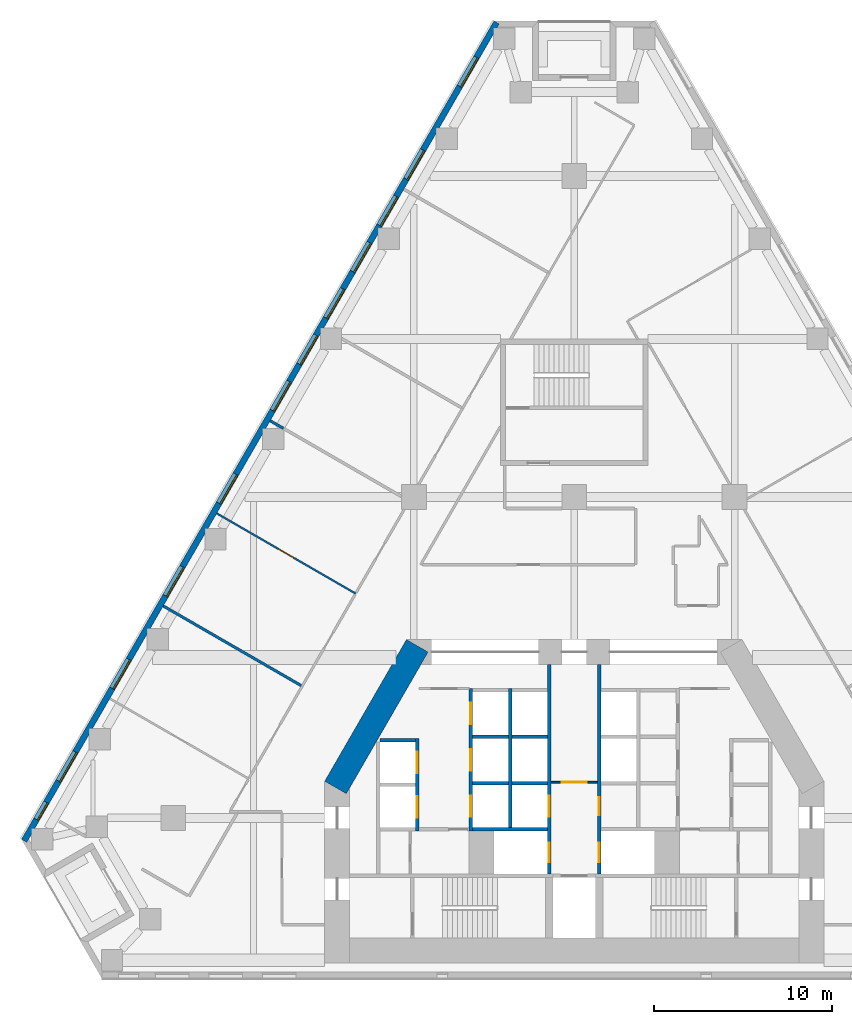
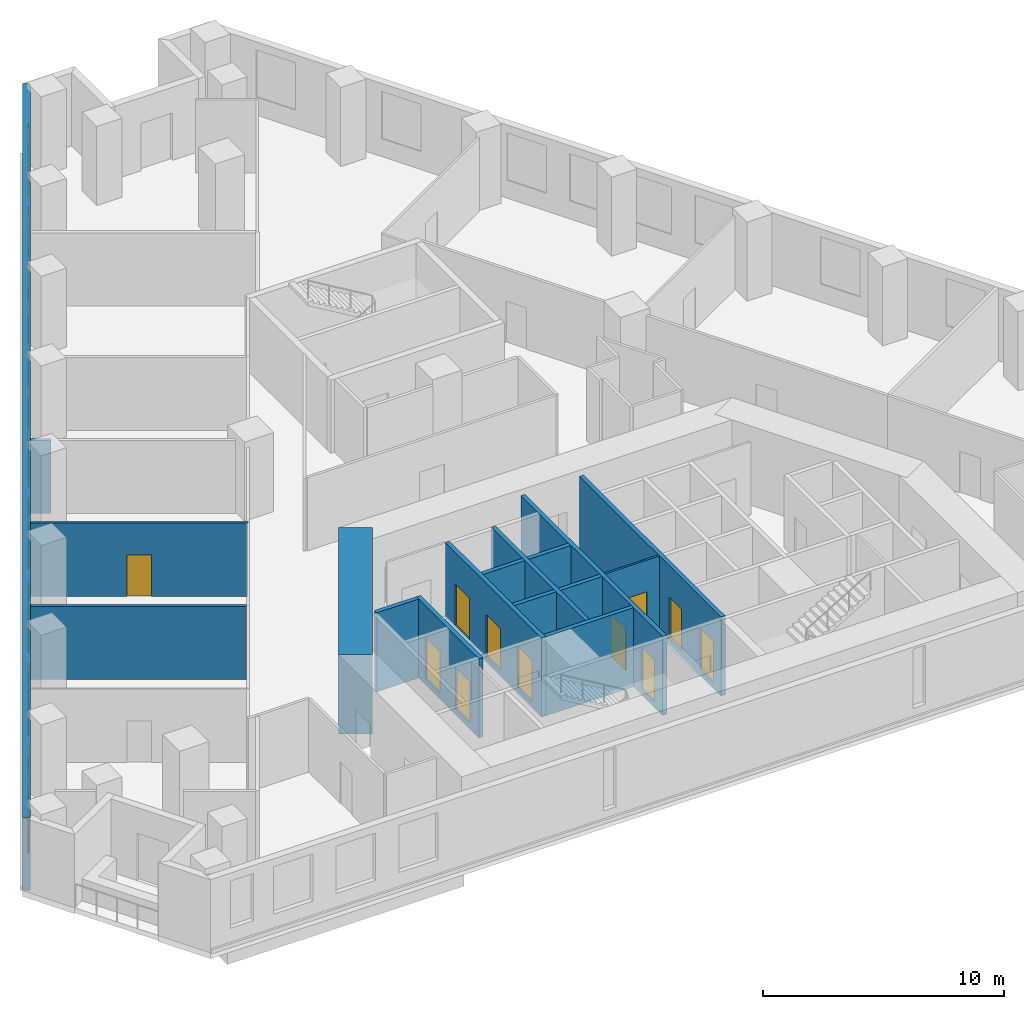
# One storey, part 4 of 9: 17 walls, 12 windows, 11 doors, 23 openings.
"""IFC4 building model written with IfcOpenShell, lengths in metres."""

from ifc_helpers import new_model, si_unit, direction, frame, frame_2d, origin, place, context, subcontext, project, spatial, rectangle, extrude, material, layer, layer_set, type_object, element, fill, save


model = new_model("IFC4")

# Units and contexts
model_context = context("Model", 3, precision=1e-05, world=origin(), true_north=direction((0.0, 1.0)))
body_context = subcontext(model_context, "Body", "Model", "MODEL_VIEW")
ifc_project = project(units=[si_unit("LENGTHUNIT", "METRE"), si_unit("AREAUNIT", "SQUARE_METRE"), si_unit("VOLUMEUNIT", "CUBIC_METRE"), si_unit("PLANEANGLEUNIT", "RADIAN"), si_unit("MASSUNIT", "GRAM", prefix="KILO")], contexts=[model_context])

# Site, building, storey
site_placement = place(None, origin())
site = spatial("IfcSite", under=ifc_project, at=site_placement, CompositionType="ELEMENT")
building_placement = place(site_placement, origin())
building = spatial("IfcBuilding", under=site, at=building_placement, Name="Fogline Exchange Tower", CompositionType="ELEMENT")
storey_placement = place(building_placement, frame((0.0, 0.0, 80.89990234375)))
storey = spatial("IfcBuildingStorey", under=building, at=storey_placement, Name="L17", CompositionType="ELEMENT", Elevation=80.89990234375)

# Wall, opening, door
ifc_material_1 = material(Name="Blockwork partition", Category="masonry")
ifc_layer_1 = layer(ifc_material_1, 0.10009765625)
ifc_layer_set_1 = layer_set([ifc_layer_1], Name="CW10")
wall_type_1 = type_object("IfcWallType", Name="CW10", PredefinedType="PARTITIONING", material=ifc_layer_set_1)
wall_1_placement = place(storey_placement, frame((-1.300048828125, 11.0, 0.0), z_axis=(0.0, 0.0, 1.0), x_axis=(1.0, 0.0, 0.0)))
wall_1 = element("IfcWall", 1, at=wall_1_placement, inside=storey, type_object=wall_type_1, Name="Lift lobby partition", PredefinedType="PARTITIONING", context=body_context, shape_type="SweptSolid", body=[
    extrude(rectangle(XDim=2.60009765625, YDim=0.10009765625, at=frame_2d((1.300048828125, 0.0))), origin(), (0.0, 0.0, 1.0), 3.7001953125),
])
opening_1_placement = place(wall_1_placement, frame((0.60009765625, 0.0, 0.0)))
opening_1 = element("IfcOpeningElement", 2, at=opening_1_placement, cuts=wall_1, Name="Opening T05-C019", PredefinedType="OPENING", context=body_context, shape_type="SweptSolid", body=[
    extrude(rectangle(XDim=1.39990234375, YDim=2.10009765625, at=frame_2d((0.699951171875, 1.050048828125))), frame((0.0, 0.06005859375, 0.0), z_axis=(0.0, -1.0, 0.0), x_axis=(1.0, 0.0, 0.0)), (0.0, 0.0, 1.0), 0.1201171875),
])
ifc_material_2 = material(Name="Steel and timber fire door", Category="steel")
door_type_1 = type_object("IfcDoorType", Name="D-LB1", OperationType="DOUBLE_DOOR_SINGLE_SWING", PredefinedType="DOOR", material=ifc_material_2)
door_1_placement = place(opening_1_placement, frame((1.39990234375, 0.0, 0.0), z_axis=(0.0, 0.0, 1.0), x_axis=(-1.0, 0.0, 0.0)))
door_1 = element("IfcDoor", 3, at=door_1_placement, inside=storey, type_object=door_type_1, Name="Door to firefighting lift lobby", OperationType="DOUBLE_DOOR_SINGLE_SWING", OverallHeight=2.10009765625, OverallWidth=1.39990234375, PredefinedType="DOOR", context=body_context, shape_type="SweptSolid", body=[
    extrude(rectangle(XDim=1.39990234375, YDim=2.10009765625, at=frame_2d((0.699951171875, 1.050048828125))), frame((0.0, 0.02490234375, 0.0), z_axis=(0.0, -1.0, 0.0), x_axis=(1.0, 0.0, 0.0)), (0.0, 0.0, 1.0), 0.050048828125),
])
fill(opening_1, door_1)

# Wall, openings, doors
ifc_material_3 = material(Name="Concrete C40", Category="concrete")
ifc_layer_2 = layer(ifc_material_3, 0.199951171875)
ifc_layer_set_2 = layer_set([ifc_layer_2], Name="CW20S")
wall_type_2 = type_object("IfcWallType", Name="CW20S", PredefinedType="SOLIDWALL", material=ifc_layer_set_2)
wall_2_placement = place(storey_placement, frame((-8.800048828125, 8.25, -0.2998046875), z_axis=(0.0, 0.0, 1.0), x_axis=(0.0, 1.0, 0.0)))
wall_2 = element("IfcWall", 4, at=wall_2_placement, inside=storey, type_object=wall_type_2, Name="Lift shaft wall", PredefinedType="SOLIDWALL", context=body_context, shape_type="SweptSolid", body=[
    extrude(rectangle(XDim=5.199951171875, YDim=0.199951171875, at=frame_2d((2.60009765625, 0.0))), origin(), (0.0, 0.0, 1.0), 4.0),
])
opening_2_placement = place(wall_2_placement, frame((0.75, 0.0, 0.300048828125)))
opening_2 = element("IfcOpeningElement", 5, at=opening_2_placement, cuts=wall_2, Name="Opening T05-LD01", PredefinedType="OPENING", context=body_context, shape_type="SweptSolid", body=[
    extrude(rectangle(XDim=1.199951171875, YDim=2.10009765625, at=frame_2d((0.60009765625, 1.050048828125))), frame((0.0, 0.10986328125, 0.0), z_axis=(0.0, -1.0, 0.0), x_axis=(1.0, 0.0, 0.0)), (0.0, 0.0, 1.0), 0.219970703125),
])
opening_3_placement = place(wall_2_placement, frame((3.25, 0.0, 0.300048828125)))
opening_3 = element("IfcOpeningElement", 6, at=opening_3_placement, cuts=wall_2, Name="Opening T05-LD02", PredefinedType="OPENING", context=body_context, shape_type="SweptSolid", body=[
    extrude(rectangle(XDim=1.199951171875, YDim=2.10009765625, at=frame_2d((0.60009765625, 1.050048828125))), frame((0.0, 0.10986328125, 0.0), z_axis=(0.0, -1.0, 0.0), x_axis=(1.0, 0.0, 0.0)), (0.0, 0.0, 1.0), 0.219970703125),
])
door_type_2 = type_object("IfcDoorType", Name="LD1", OperationType="SLIDING_TO_LEFT", PredefinedType="DOOR", material=ifc_material_2)
door_2_placement = place(opening_2_placement, origin())
door_2 = element("IfcDoor", 7, at=door_2_placement, inside=storey, type_object=door_type_2, Name="Landing door LR1", OperationType="SLIDING_TO_LEFT", OverallHeight=2.10009765625, OverallWidth=1.199951171875, PredefinedType="DOOR", context=body_context, shape_type="SweptSolid", body=[
    extrude(rectangle(XDim=1.199951171875, YDim=2.10009765625, at=frame_2d((0.60009765625, 1.050048828125))), frame((0.0, 0.02490234375, 0.0), z_axis=(0.0, -1.0, 0.0), x_axis=(1.0, 0.0, 0.0)), (0.0, 0.0, 1.0), 0.050048828125),
])
fill(opening_2, door_2)
door_3_placement = place(opening_3_placement, origin())
door_3 = element("IfcDoor", 8, at=door_3_placement, inside=storey, type_object=door_type_2, Name="Landing door LR2", OperationType="SLIDING_TO_LEFT", OverallHeight=2.10009765625, OverallWidth=1.199951171875, PredefinedType="DOOR", context=body_context, shape_type="SweptSolid", body=[
    extrude(rectangle(XDim=1.199951171875, YDim=2.10009765625, at=frame_2d((0.60009765625, 1.050048828125))), frame((0.0, 0.02490234375, 0.0), z_axis=(0.0, -1.0, 0.0), x_axis=(1.0, 0.0, 0.0)), (0.0, 0.0, 1.0), 0.050048828125),
])
fill(opening_3, door_3)

wall_3_placement = place(storey_placement, frame((-5.800048828125, 8.25, -0.2998046875), z_axis=(0.0, 0.0, 1.0), x_axis=(0.0, 1.0, 0.0)))
wall_3 = element("IfcWall", 9, at=wall_3_placement, inside=storey, type_object=wall_type_2, Name="Lift shaft wall", PredefinedType="SOLIDWALL", context=body_context, shape_type="SweptSolid", body=[
    extrude(rectangle(XDim=8.0, YDim=0.199951171875, at=frame_2d((4.0, 0.0))), origin(), (0.0, 0.0, 1.0), 4.0),
])
opening_4_placement = place(wall_3_placement, frame((0.800048828125, 0.0, 0.300048828125)))
opening_4 = element("IfcOpeningElement", 10, at=opening_4_placement, cuts=wall_3, Name="Opening T05-LD03", PredefinedType="OPENING", context=body_context, shape_type="SweptSolid", body=[
    extrude(rectangle(XDim=1.199951171875, YDim=2.10009765625, at=frame_2d((0.60009765625, 1.050048828125))), frame((0.0, 0.10986328125, 0.0), z_axis=(0.0, -1.0, 0.0), x_axis=(1.0, 0.0, 0.0)), (0.0, 0.0, 1.0), 0.219970703125),
])
opening_5_placement = place(wall_3_placement, frame((3.39990234375, 0.0, 0.300048828125)))
opening_5 = element("IfcOpeningElement", 11, at=opening_5_placement, cuts=wall_3, Name="Opening T05-LD04", PredefinedType="OPENING", context=body_context, shape_type="SweptSolid", body=[
    extrude(rectangle(XDim=1.199951171875, YDim=2.10009765625, at=frame_2d((0.60009765625, 1.050048828125))), frame((0.0, 0.10986328125, 0.0), z_axis=(0.0, -1.0, 0.0), x_axis=(1.0, 0.0, 0.0)), (0.0, 0.0, 1.0), 0.219970703125),
])
opening_6_placement = place(wall_3_placement, frame((6.0, 0.0, 0.300048828125)))
opening_6 = element("IfcOpeningElement", 12, at=opening_6_placement, cuts=wall_3, Name="Opening T05-LD05", PredefinedType="OPENING", context=body_context, shape_type="SweptSolid", body=[
    extrude(rectangle(XDim=1.199951171875, YDim=2.10009765625, at=frame_2d((0.60009765625, 1.050048828125))), frame((0.0, 0.10986328125, 0.0), z_axis=(0.0, -1.0, 0.0), x_axis=(1.0, 0.0, 0.0)), (0.0, 0.0, 1.0), 0.219970703125),
])
door_4_placement = place(opening_4_placement, origin())
door_4 = element("IfcDoor", 13, at=door_4_placement, inside=storey, type_object=door_type_2, Name="Landing door LR3", OperationType="SLIDING_TO_LEFT", OverallHeight=2.10009765625, OverallWidth=1.199951171875, PredefinedType="DOOR", context=body_context, shape_type="SweptSolid", body=[
    extrude(rectangle(XDim=1.199951171875, YDim=2.10009765625, at=frame_2d((0.60009765625, 1.050048828125))), frame((0.0, 0.02490234375, 0.0), z_axis=(0.0, -1.0, 0.0), x_axis=(1.0, 0.0, 0.0)), (0.0, 0.0, 1.0), 0.050048828125),
])
fill(opening_4, door_4)
door_5_placement = place(opening_5_placement, origin())
door_5 = element("IfcDoor", 14, at=door_5_placement, inside=storey, type_object=door_type_2, Name="Landing door LR4", OperationType="SLIDING_TO_LEFT", OverallHeight=2.10009765625, OverallWidth=1.199951171875, PredefinedType="DOOR", context=body_context, shape_type="SweptSolid", body=[
    extrude(rectangle(XDim=1.199951171875, YDim=2.10009765625, at=frame_2d((0.60009765625, 1.050048828125))), frame((0.0, 0.02490234375, 0.0), z_axis=(0.0, -1.0, 0.0), x_axis=(1.0, 0.0, 0.0)), (0.0, 0.0, 1.0), 0.050048828125),
])
fill(opening_5, door_5)
door_6_placement = place(opening_6_placement, origin())
door_6 = element("IfcDoor", 15, at=door_6_placement, inside=storey, type_object=door_type_2, Name="Landing door LR5", OperationType="SLIDING_TO_LEFT", OverallHeight=2.10009765625, OverallWidth=1.199951171875, PredefinedType="DOOR", context=body_context, shape_type="SweptSolid", body=[
    extrude(rectangle(XDim=1.199951171875, YDim=2.10009765625, at=frame_2d((0.60009765625, 1.050048828125))), frame((0.0, 0.02490234375, 0.0), z_axis=(0.0, -1.0, 0.0), x_axis=(1.0, 0.0, 0.0)), (0.0, 0.0, 1.0), 0.050048828125),
])
fill(opening_6, door_6)

# Wall
wall_4_placement = place(storey_placement, frame((-3.60009765625, 8.449951171875, -0.2998046875), z_axis=(0.0, 0.0, 1.0), x_axis=(0.0, 1.0, 0.0)))
element("IfcWall", 16, at=wall_4_placement, inside=storey, type_object=wall_type_2, Name="Lift shaft wall", PredefinedType="SOLIDWALL", context=body_context, shape_type="SweptSolid", body=[
    extrude(rectangle(XDim=7.800048828125, YDim=0.199951171875, at=frame_2d((3.89990234375, 0.0))), origin(), (0.0, 0.0, 1.0), 4.0),
])

# Wall, openings, doors
wall_5_placement = place(storey_placement, frame((-1.39990234375, 5.85009765625, -0.2998046875), z_axis=(0.0, 0.0, 1.0), x_axis=(0.0, 1.0, 0.0)))
wall_5 = element("IfcWall", 17, at=wall_5_placement, inside=storey, type_object=wall_type_2, Name="Lift lobby wall", PredefinedType="SOLIDWALL", context=body_context, shape_type="SweptSolid", body=[
    extrude(rectangle(XDim=11.75, YDim=0.199951171875, at=frame_2d((5.875, 0.0))), origin(), (0.0, 0.0, 1.0), 4.0),
])
opening_7_placement = place(wall_5_placement, frame((3.199951171875, 0.0, 0.300048828125)))
opening_7 = element("IfcOpeningElement", 18, at=opening_7_placement, cuts=wall_5, Name="Opening T05-LD06", PredefinedType="OPENING", context=body_context, shape_type="SweptSolid", body=[
    extrude(rectangle(XDim=1.199951171875, YDim=2.10009765625, at=frame_2d((0.60009765625, 1.050048828125))), frame((0.0, 0.10986328125, 0.0), z_axis=(0.0, -1.0, 0.0), x_axis=(1.0, 0.0, 0.0)), (0.0, 0.0, 1.0), 0.219970703125),
])
opening_8_placement = place(wall_5_placement, frame((0.64990234375, 0.0, 0.300048828125)))
opening_8 = element("IfcOpeningElement", 19, at=opening_8_placement, cuts=wall_5, Name="Opening T05-LD07", PredefinedType="OPENING", context=body_context, shape_type="SweptSolid", body=[
    extrude(rectangle(XDim=1.10009765625, YDim=2.10009765625, at=frame_2d((0.550048828125, 1.050048828125))), frame((0.0, 0.10986328125, 0.0), z_axis=(0.0, -1.0, 0.0), x_axis=(1.0, 0.0, 0.0)), (0.0, 0.0, 1.0), 0.219970703125),
])
door_7_placement = place(opening_7_placement, origin())
door_7 = element("IfcDoor", 20, at=door_7_placement, inside=storey, type_object=door_type_2, Name="Landing door LR6", OperationType="SLIDING_TO_LEFT", OverallHeight=2.10009765625, OverallWidth=1.199951171875, PredefinedType="DOOR", context=body_context, shape_type="SweptSolid", body=[
    extrude(rectangle(XDim=1.199951171875, YDim=2.10009765625, at=frame_2d((0.60009765625, 1.050048828125))), frame((0.0, 0.02490234375, 0.0), z_axis=(0.0, -1.0, 0.0), x_axis=(1.0, 0.0, 0.0)), (0.0, 0.0, 1.0), 0.050048828125),
])
fill(opening_7, door_7)
door_type_3 = type_object("IfcDoorType", Name="LD2", OperationType="SLIDING_TO_RIGHT", PredefinedType="DOOR", material=ifc_material_2)
door_8_placement = place(opening_8_placement, origin())
door_8 = element("IfcDoor", 21, at=door_8_placement, inside=storey, type_object=door_type_3, Name="Landing door FF1", OperationType="SLIDING_TO_RIGHT", OverallHeight=2.10009765625, OverallWidth=1.10009765625, PredefinedType="DOOR", context=body_context, shape_type="SweptSolid", body=[
    extrude(rectangle(XDim=1.10009765625, YDim=2.10009765625, at=frame_2d((0.550048828125, 1.050048828125))), frame((0.0, 0.02490234375, 0.0), z_axis=(0.0, -1.0, 0.0), x_axis=(1.0, 0.0, 0.0)), (0.0, 0.0, 1.0), 0.050048828125),
])
fill(opening_8, door_8)

wall_6_placement = place(storey_placement, frame((1.39990234375, 5.85009765625, -0.2998046875), z_axis=(0.0, 0.0, 1.0), x_axis=(0.0, 1.0, 0.0)))
wall_6 = element("IfcWall", 22, at=wall_6_placement, inside=storey, type_object=wall_type_2, Name="Lift lobby wall", PredefinedType="SOLIDWALL", context=body_context, shape_type="SweptSolid", body=[
    extrude(rectangle(XDim=11.75, YDim=0.199951171875, at=frame_2d((5.875, 0.0))), origin(), (0.0, 0.0, 1.0), 4.0),
])
opening_9_placement = place(wall_6_placement, frame((0.64990234375, 0.0, 0.300048828125)))
opening_9 = element("IfcOpeningElement", 23, at=opening_9_placement, cuts=wall_6, Name="Opening T05-LD08", PredefinedType="OPENING", context=body_context, shape_type="SweptSolid", body=[
    extrude(rectangle(XDim=1.10009765625, YDim=2.10009765625, at=frame_2d((0.550048828125, 1.050048828125))), frame((0.0, 0.10986328125, 0.0), z_axis=(0.0, -1.0, 0.0), x_axis=(1.0, 0.0, 0.0)), (0.0, 0.0, 1.0), 0.219970703125),
])
opening_10_placement = place(wall_6_placement, frame((3.300048828125, 0.0, 0.300048828125)))
opening_10 = element("IfcOpeningElement", 24, at=opening_10_placement, cuts=wall_6, Name="Opening T05-C006", PredefinedType="OPENING", context=body_context, shape_type="SweptSolid", body=[
    extrude(rectangle(XDim=1.0, YDim=2.10009765625, at=frame_2d((0.5, 1.050048828125))), frame((0.0, 0.10986328125, 0.0), z_axis=(0.0, -1.0, 0.0), x_axis=(1.0, 0.0, 0.0)), (0.0, 0.0, 1.0), 0.219970703125),
])
door_type_4 = type_object("IfcDoorType", Name="D-RM1", OperationType="SINGLE_SWING_LEFT", PredefinedType="DOOR", material=ifc_material_2)
door_9_placement = place(opening_10_placement, frame((1.0, 0.0, 0.0), z_axis=(0.0, 0.0, 1.0), x_axis=(-1.0, 0.0, 0.0)))
door_9 = element("IfcDoor", 25, at=door_9_placement, inside=storey, type_object=door_type_4, Name="Door to Riser Room", OperationType="SINGLE_SWING_RIGHT", OverallHeight=2.10009765625, OverallWidth=1.0, PredefinedType="DOOR", context=body_context, shape_type="SweptSolid", body=[
    extrude(rectangle(XDim=1.0, YDim=2.10009765625, at=frame_2d((0.5, 1.050048828125))), frame((0.0, 0.02490234375, 0.0), z_axis=(0.0, -1.0, 0.0), x_axis=(1.0, 0.0, 0.0)), (0.0, 0.0, 1.0), 0.050048828125),
])
fill(opening_10, door_9)
door_10_placement = place(opening_9_placement, origin())
door_10 = element("IfcDoor", 26, at=door_10_placement, inside=storey, type_object=door_type_3, Name="Landing door FF2", OperationType="SLIDING_TO_RIGHT", OverallHeight=2.10009765625, OverallWidth=1.10009765625, PredefinedType="DOOR", context=body_context, shape_type="SweptSolid", body=[
    extrude(rectangle(XDim=1.10009765625, YDim=2.10009765625, at=frame_2d((0.550048828125, 1.050048828125))), frame((0.0, 0.02490234375, 0.0), z_axis=(0.0, -1.0, 0.0), x_axis=(1.0, 0.0, 0.0)), (0.0, 0.0, 1.0), 0.050048828125),
])
fill(opening_9, door_10)

# Walls
wall_7_placement = place(storey_placement, frame((-5.699951171875, 8.35009765625, -0.2998046875), z_axis=(0.0, 0.0, 1.0), x_axis=(1.0, 0.0, 0.0)))
element("IfcWall", 27, at=wall_7_placement, inside=storey, type_object=wall_type_2, Name="Lift shaft wall", PredefinedType="SOLIDWALL", context=body_context, shape_type="SweptSolid", body=[
    extrude(rectangle(XDim=4.199951171875, YDim=0.199951171875, at=frame_2d((2.10009765625, 0.0))), origin(), (0.0, 0.0, 1.0), 4.0),
])
for number, where, z_axis, x_axis, name in (
    (28, (-10.89990234375, 13.35009765625, -0.2998046875), (0.0, 0.0, 1.0), (1.0, 0.0, 0.0), "Lift shaft wall"),
    (29, (-5.699951171875, 10.949951171875, -0.2998046875), (0.0, 0.0, 1.0), (1.0, 0.0, 0.0), "Lift shaft wall"),
    (30, (-5.699951171875, 13.550048828125, -0.2998046875), (0.0, 0.0, 1.0), (1.0, 0.0, 0.0), "Lift shaft wall"),
    (31, (-3.5, 10.949951171875, -0.2998046875), (0.0, 0.0, 1.0), (1.0, 0.0, 0.0), "Lift shaft wall"),
    (32, (-3.5, 13.550048828125, -0.2998046875), (0.0, 0.0, 1.0), (1.0, 0.0, 0.0), "Lift shaft wall"),
):
    element("IfcWall", number, at=place(storey_placement, frame(where, z_axis=z_axis, x_axis=x_axis)), inside=storey, type_object=wall_type_2, Name=name, PredefinedType="SOLIDWALL", context=body_context, shape_type="SweptSolid", body=[
        extrude(rectangle(XDim=2.0, YDim=0.199951171875, at=frame_2d((1.0, 0.0))), origin(), (0.0, 0.0, 1.0), 4.0),
    ])

# Wall, openings, windows
ifc_material_4 = material(Name="Brick masonry", Category="masonry")
ifc_layer_3 = layer(ifc_material_4, 0.340087890625)
ifc_layer_set_3 = layer_set([ifc_layer_3], Name="FW1")
wall_type_3 = type_object("IfcWallType", Name="FW1", PredefinedType="SOLIDWALL", material=ifc_layer_set_3)
wall_8_placement = place(storey_placement, frame((-4.352783203125, 53.626708984375, 0.0), z_axis=(0.0, 0.0, 1.0), x_axis=(-0.500000400847, -0.866025172355, 0.0)))
wall_8 = element("IfcWall", 33, at=wall_8_placement, inside=storey, type_object=wall_type_3, Name="Brick wall L17 W", PredefinedType="SOLIDWALL", context=body_context, shape_type="SweptSolid", body=[
    extrude(rectangle(XDim=53.02099609375, YDim=0.340087890625, at=frame_2d((26.510498046875, 0.0))), origin(), (0.0, 0.0, 1.0), 3.7001953125),
])
opening_11_placement = place(wall_8_placement, frame((2.265625, 0.0, 0.89990234375)))
opening_11 = element("IfcOpeningElement", 34, at=opening_11_placement, cuts=wall_8, Name="Opening W1", PredefinedType="OPENING", context=body_context, shape_type="SweptSolid", body=[
    extrude(rectangle(XDim=1.885009765625, YDim=2.39990234375, at=frame_2d((0.9423828125, 1.199951171875))), frame((0.0, 0.18017578125, 0.0), z_axis=(0.0, -1.0, 0.0), x_axis=(1.0, 0.0, 0.0)), (0.0, 0.0, 1.0), 0.360107421875),
])
opening_12_placement = place(wall_8_placement, frame((8.265625, 0.0, 0.89990234375)))
opening_12 = element("IfcOpeningElement", 35, at=opening_12_placement, cuts=wall_8, Name="Opening W1", PredefinedType="OPENING", context=body_context, shape_type="SweptSolid", body=[
    extrude(rectangle(XDim=1.885009765625, YDim=2.39990234375, at=frame_2d((0.9423828125, 1.199951171875))), frame((0.0, 0.18017578125, 0.0), z_axis=(0.0, -1.0, 0.0), x_axis=(1.0, 0.0, 0.0)), (0.0, 0.0, 1.0), 0.360107421875),
])
opening_13_placement = place(wall_8_placement, frame((11.265625, 0.0, 0.89990234375)))
opening_13 = element("IfcOpeningElement", 36, at=opening_13_placement, cuts=wall_8, Name="Opening W1", PredefinedType="OPENING", context=body_context, shape_type="SweptSolid", body=[
    extrude(rectangle(XDim=1.885009765625, YDim=2.39990234375, at=frame_2d((0.9423828125, 1.199951171875))), frame((0.0, 0.18017578125, 0.0), z_axis=(0.0, -1.0, 0.0), x_axis=(1.0, 0.0, 0.0)), (0.0, 0.0, 1.0), 0.360107421875),
])
opening_14_placement = place(wall_8_placement, frame((14.265625, 0.0, 0.89990234375)))
opening_14 = element("IfcOpeningElement", 37, at=opening_14_placement, cuts=wall_8, Name="Opening W1", PredefinedType="OPENING", context=body_context, shape_type="SweptSolid", body=[
    extrude(rectangle(XDim=1.885009765625, YDim=2.39990234375, at=frame_2d((0.9423828125, 1.199951171875))), frame((0.0, 0.18017578125, 0.0), z_axis=(0.0, -1.0, 0.0), x_axis=(1.0, 0.0, 0.0)), (0.0, 0.0, 1.0), 0.360107421875),
])
opening_15_placement = place(wall_8_placement, frame((17.265625, 0.0, 0.89990234375)))
opening_15 = element("IfcOpeningElement", 38, at=opening_15_placement, cuts=wall_8, Name="Opening W1", PredefinedType="OPENING", context=body_context, shape_type="SweptSolid", body=[
    extrude(rectangle(XDim=1.885009765625, YDim=2.39990234375, at=frame_2d((0.9423828125, 1.199951171875))), frame((0.0, 0.18017578125, 0.0), z_axis=(0.0, -1.0, 0.0), x_axis=(1.0, 0.0, 0.0)), (0.0, 0.0, 1.0), 0.360107421875),
])
opening_16_placement = place(wall_8_placement, frame((20.265625, 0.0, 0.89990234375)))
opening_16 = element("IfcOpeningElement", 39, at=opening_16_placement, cuts=wall_8, Name="Opening W1", PredefinedType="OPENING", context=body_context, shape_type="SweptSolid", body=[
    extrude(rectangle(XDim=1.885009765625, YDim=2.39990234375, at=frame_2d((0.9423828125, 1.199951171875))), frame((0.0, 0.18017578125, 0.0), z_axis=(0.0, -1.0, 0.0), x_axis=(1.0, 0.0, 0.0)), (0.0, 0.0, 1.0), 0.360107421875),
])
opening_17_placement = place(wall_8_placement, frame((23.265625, 0.0, 0.89990234375)))
opening_17 = element("IfcOpeningElement", 40, at=opening_17_placement, cuts=wall_8, Name="Opening W1", PredefinedType="OPENING", context=body_context, shape_type="SweptSolid", body=[
    extrude(rectangle(XDim=1.885009765625, YDim=2.39990234375, at=frame_2d((0.9423828125, 1.199951171875))), frame((0.0, 0.18017578125, 0.0), z_axis=(0.0, -1.0, 0.0), x_axis=(1.0, 0.0, 0.0)), (0.0, 0.0, 1.0), 0.360107421875),
])
opening_18_placement = place(wall_8_placement, frame((29.265625, 0.0, 0.89990234375)))
opening_18 = element("IfcOpeningElement", 41, at=opening_18_placement, cuts=wall_8, Name="Opening W1", PredefinedType="OPENING", context=body_context, shape_type="SweptSolid", body=[
    extrude(rectangle(XDim=1.885009765625, YDim=2.39990234375, at=frame_2d((0.9423828125, 1.199951171875))), frame((0.0, 0.18017578125, 0.0), z_axis=(0.0, -1.0, 0.0), x_axis=(1.0, 0.0, 0.0)), (0.0, 0.0, 1.0), 0.360107421875),
])
opening_19_placement = place(wall_8_placement, frame((35.265625, 0.0, 0.89990234375)))
opening_19 = element("IfcOpeningElement", 42, at=opening_19_placement, cuts=wall_8, Name="Opening W1", PredefinedType="OPENING", context=body_context, shape_type="SweptSolid", body=[
    extrude(rectangle(XDim=1.885009765625, YDim=2.39990234375, at=frame_2d((0.9423828125, 1.199951171875))), frame((0.0, 0.18017578125, 0.0), z_axis=(0.0, -1.0, 0.0), x_axis=(1.0, 0.0, 0.0)), (0.0, 0.0, 1.0), 0.360107421875),
])
opening_20_placement = place(wall_8_placement, frame((41.265625, 0.0, 0.89990234375)))
opening_20 = element("IfcOpeningElement", 43, at=opening_20_placement, cuts=wall_8, Name="Opening W1", PredefinedType="OPENING", context=body_context, shape_type="SweptSolid", body=[
    extrude(rectangle(XDim=1.885009765625, YDim=2.39990234375, at=frame_2d((0.9423828125, 1.199951171875))), frame((0.0, 0.18017578125, 0.0), z_axis=(0.0, -1.0, 0.0), x_axis=(1.0, 0.0, 0.0)), (0.0, 0.0, 1.0), 0.360107421875),
])
opening_21_placement = place(wall_8_placement, frame((47.265625, 0.0, 0.89990234375)))
opening_21 = element("IfcOpeningElement", 44, at=opening_21_placement, cuts=wall_8, Name="Opening W1", PredefinedType="OPENING", context=body_context, shape_type="SweptSolid", body=[
    extrude(rectangle(XDim=1.885009765625, YDim=2.39990234375, at=frame_2d((0.9423828125, 1.199951171875))), frame((0.0, 0.18017578125, 0.0), z_axis=(0.0, -1.0, 0.0), x_axis=(1.0, 0.0, 0.0)), (0.0, 0.0, 1.0), 0.360107421875),
])
opening_22_placement = place(wall_8_placement, frame((50.5283203125, 0.0, 0.89990234375)))
opening_22 = element("IfcOpeningElement", 45, at=opening_22_placement, cuts=wall_8, Name="Opening W4", PredefinedType="OPENING", context=body_context, shape_type="SweptSolid", body=[
    extrude(rectangle(XDim=1.114990234375, YDim=2.39990234375, at=frame_2d((0.5576171875, 1.199951171875))), frame((0.0, 0.18017578125, 0.0), z_axis=(0.0, -1.0, 0.0), x_axis=(1.0, 0.0, 0.0)), (0.0, 0.0, 1.0), 0.360107421875),
])
ifc_material_5 = material(Name="Aluminium and glass", Category="aluminium")
window_type_1 = type_object("IfcWindowType", Name="W1", PartitioningType="SINGLE_PANEL", PredefinedType="WINDOW", material=ifc_material_5)
window_1_placement = place(opening_11_placement, origin())
window_1 = element("IfcWindow", 46, at=window_1_placement, inside=storey, type_object=window_type_1, Name="W1 W1", OverallHeight=2.39990234375, OverallWidth=1.885009765625, PartitioningType="SINGLE_PANEL", PredefinedType="WINDOW", context=body_context, shape_type="SweptSolid", body=[
    extrude(rectangle(XDim=1.885009765625, YDim=2.39990234375, at=frame_2d((0.9423828125, 1.199951171875))), frame((0.0, 0.110107421875, 0.0), z_axis=(0.0, -1.0, 0.0), x_axis=(1.0, 0.0, 0.0)), (0.0, 0.0, 1.0), 0.06005859375),
])
fill(opening_11, window_1)
window_2_placement = place(opening_12_placement, origin())
window_2 = element("IfcWindow", 47, at=window_2_placement, inside=storey, type_object=window_type_1, Name="W1 W1", OverallHeight=2.39990234375, OverallWidth=1.885009765625, PartitioningType="SINGLE_PANEL", PredefinedType="WINDOW", context=body_context, shape_type="SweptSolid", body=[
    extrude(rectangle(XDim=1.885009765625, YDim=2.39990234375, at=frame_2d((0.9423828125, 1.199951171875))), frame((0.0, 0.110107421875, 0.0), z_axis=(0.0, -1.0, 0.0), x_axis=(1.0, 0.0, 0.0)), (0.0, 0.0, 1.0), 0.06005859375),
])
fill(opening_12, window_2)
window_3_placement = place(opening_13_placement, origin())
window_3 = element("IfcWindow", 48, at=window_3_placement, inside=storey, type_object=window_type_1, Name="W1 W1", OverallHeight=2.39990234375, OverallWidth=1.885009765625, PartitioningType="SINGLE_PANEL", PredefinedType="WINDOW", context=body_context, shape_type="SweptSolid", body=[
    extrude(rectangle(XDim=1.885009765625, YDim=2.39990234375, at=frame_2d((0.9423828125, 1.199951171875))), frame((0.0, 0.110107421875, 0.0), z_axis=(0.0, -1.0, 0.0), x_axis=(1.0, 0.0, 0.0)), (0.0, 0.0, 1.0), 0.06005859375),
])
fill(opening_13, window_3)
window_4_placement = place(opening_14_placement, origin())
window_4 = element("IfcWindow", 49, at=window_4_placement, inside=storey, type_object=window_type_1, Name="W1 W1", OverallHeight=2.39990234375, OverallWidth=1.885009765625, PartitioningType="SINGLE_PANEL", PredefinedType="WINDOW", context=body_context, shape_type="SweptSolid", body=[
    extrude(rectangle(XDim=1.885009765625, YDim=2.39990234375, at=frame_2d((0.9423828125, 1.199951171875))), frame((0.0, 0.110107421875, 0.0), z_axis=(0.0, -1.0, 0.0), x_axis=(1.0, 0.0, 0.0)), (0.0, 0.0, 1.0), 0.06005859375),
])
fill(opening_14, window_4)
window_5_placement = place(opening_15_placement, origin())
window_5 = element("IfcWindow", 50, at=window_5_placement, inside=storey, type_object=window_type_1, Name="W1 W1", OverallHeight=2.39990234375, OverallWidth=1.885009765625, PartitioningType="SINGLE_PANEL", PredefinedType="WINDOW", context=body_context, shape_type="SweptSolid", body=[
    extrude(rectangle(XDim=1.885009765625, YDim=2.39990234375, at=frame_2d((0.9423828125, 1.199951171875))), frame((0.0, 0.110107421875, 0.0), z_axis=(0.0, -1.0, 0.0), x_axis=(1.0, 0.0, 0.0)), (0.0, 0.0, 1.0), 0.06005859375),
])
fill(opening_15, window_5)
window_6_placement = place(opening_16_placement, origin())
window_6 = element("IfcWindow", 51, at=window_6_placement, inside=storey, type_object=window_type_1, Name="W1 W1", OverallHeight=2.39990234375, OverallWidth=1.885009765625, PartitioningType="SINGLE_PANEL", PredefinedType="WINDOW", context=body_context, shape_type="SweptSolid", body=[
    extrude(rectangle(XDim=1.885009765625, YDim=2.39990234375, at=frame_2d((0.9423828125, 1.199951171875))), frame((0.0, 0.110107421875, 0.0), z_axis=(0.0, -1.0, 0.0), x_axis=(1.0, 0.0, 0.0)), (0.0, 0.0, 1.0), 0.06005859375),
])
fill(opening_16, window_6)
window_7_placement = place(opening_17_placement, origin())
window_7 = element("IfcWindow", 52, at=window_7_placement, inside=storey, type_object=window_type_1, Name="W1 W1", OverallHeight=2.39990234375, OverallWidth=1.885009765625, PartitioningType="SINGLE_PANEL", PredefinedType="WINDOW", context=body_context, shape_type="SweptSolid", body=[
    extrude(rectangle(XDim=1.885009765625, YDim=2.39990234375, at=frame_2d((0.9423828125, 1.199951171875))), frame((0.0, 0.110107421875, 0.0), z_axis=(0.0, -1.0, 0.0), x_axis=(1.0, 0.0, 0.0)), (0.0, 0.0, 1.0), 0.06005859375),
])
fill(opening_17, window_7)
window_8_placement = place(opening_18_placement, origin())
window_8 = element("IfcWindow", 53, at=window_8_placement, inside=storey, type_object=window_type_1, Name="W1 W1", OverallHeight=2.39990234375, OverallWidth=1.885009765625, PartitioningType="SINGLE_PANEL", PredefinedType="WINDOW", context=body_context, shape_type="SweptSolid", body=[
    extrude(rectangle(XDim=1.885009765625, YDim=2.39990234375, at=frame_2d((0.9423828125, 1.199951171875))), frame((0.0, 0.110107421875, 0.0), z_axis=(0.0, -1.0, 0.0), x_axis=(1.0, 0.0, 0.0)), (0.0, 0.0, 1.0), 0.06005859375),
])
fill(opening_18, window_8)
window_9_placement = place(opening_19_placement, origin())
window_9 = element("IfcWindow", 54, at=window_9_placement, inside=storey, type_object=window_type_1, Name="W1 W1", OverallHeight=2.39990234375, OverallWidth=1.885009765625, PartitioningType="SINGLE_PANEL", PredefinedType="WINDOW", context=body_context, shape_type="SweptSolid", body=[
    extrude(rectangle(XDim=1.885009765625, YDim=2.39990234375, at=frame_2d((0.9423828125, 1.199951171875))), frame((0.0, 0.110107421875, 0.0), z_axis=(0.0, -1.0, 0.0), x_axis=(1.0, 0.0, 0.0)), (0.0, 0.0, 1.0), 0.06005859375),
])
fill(opening_19, window_9)
window_10_placement = place(opening_20_placement, origin())
window_10 = element("IfcWindow", 55, at=window_10_placement, inside=storey, type_object=window_type_1, Name="W1 W1", OverallHeight=2.39990234375, OverallWidth=1.885009765625, PartitioningType="SINGLE_PANEL", PredefinedType="WINDOW", context=body_context, shape_type="SweptSolid", body=[
    extrude(rectangle(XDim=1.885009765625, YDim=2.39990234375, at=frame_2d((0.9423828125, 1.199951171875))), frame((0.0, 0.110107421875, 0.0), z_axis=(0.0, -1.0, 0.0), x_axis=(1.0, 0.0, 0.0)), (0.0, 0.0, 1.0), 0.06005859375),
])
fill(opening_20, window_10)
window_11_placement = place(opening_21_placement, origin())
window_11 = element("IfcWindow", 56, at=window_11_placement, inside=storey, type_object=window_type_1, Name="W1 W1", OverallHeight=2.39990234375, OverallWidth=1.885009765625, PartitioningType="SINGLE_PANEL", PredefinedType="WINDOW", context=body_context, shape_type="SweptSolid", body=[
    extrude(rectangle(XDim=1.885009765625, YDim=2.39990234375, at=frame_2d((0.9423828125, 1.199951171875))), frame((0.0, 0.110107421875, 0.0), z_axis=(0.0, -1.0, 0.0), x_axis=(1.0, 0.0, 0.0)), (0.0, 0.0, 1.0), 0.06005859375),
])
fill(opening_21, window_11)
window_type_2 = type_object("IfcWindowType", Name="W4", PartitioningType="SINGLE_PANEL", PredefinedType="WINDOW", material=ifc_material_5)
window_12_placement = place(opening_22_placement, origin())
window_12 = element("IfcWindow", 57, at=window_12_placement, inside=storey, type_object=window_type_2, Name="W4 W4", OverallHeight=2.39990234375, OverallWidth=1.114990234375, PartitioningType="SINGLE_PANEL", PredefinedType="WINDOW", context=body_context, shape_type="SweptSolid", body=[
    extrude(rectangle(XDim=1.114990234375, YDim=2.39990234375, at=frame_2d((0.5576171875, 1.199951171875))), frame((0.0, 0.110107421875, 0.0), z_axis=(0.0, -1.0, 0.0), x_axis=(1.0, 0.0, 0.0)), (0.0, 0.0, 1.0), 0.06005859375),
])
fill(opening_22, window_12)

# Wall, opening, door
ifc_material_6 = material(Name="Plasterboard partition, 2 layers each side on steel studs", Category="steel")
ifc_layer_4 = layer(ifc_material_6, 0.10009765625)
ifc_layer_set_4 = layer_set([ifc_layer_4], Name="PW1")
wall_type_4 = type_object("IfcWallType", Name="PW1", PredefinedType="PARTITIONING", material=ifc_layer_set_4)
wall_9_placement = place(storey_placement, frame((-12.265380859375, 21.58154296875, 0.0), z_axis=(0.0, 0.0, 1.0), x_axis=(-0.866024315419, 0.5000018851, 0.0)))
wall_9 = element("IfcWall", 58, at=wall_9_placement, inside=storey, type_object=wall_type_4, Name="wall-L17-W044", PredefinedType="PARTITIONING", context=body_context, shape_type="SweptSolid", body=[
    extrude(rectangle(XDim=9.0, YDim=0.10009765625, at=frame_2d((4.5, 0.0))), origin(), (0.0, 0.0, 1.0), 3.7001953125),
])
opening_23_placement = place(wall_9_placement, frame((4.0, 0.0, 0.0)))
opening_23 = element("IfcOpeningElement", 59, at=opening_23_placement, cuts=wall_9, Name="Opening T05-D017", PredefinedType="OPENING", context=body_context, shape_type="SweptSolid", body=[
    extrude(rectangle(XDim=1.0, YDim=2.10009765625, at=frame_2d((0.5, 1.050048828125))), frame((0.0, 0.06005859375, 0.0), z_axis=(0.0, -1.0, 0.0), x_axis=(1.0, 0.0, 0.0)), (0.0, 0.0, 1.0), 0.1201171875),
])
ifc_material_7 = material(Name="Timber door leaf with steel frame", Category="steel")
door_type_5 = type_object("IfcDoorType", Name="D1", OperationType="SINGLE_SWING_LEFT", PredefinedType="DOOR", material=ifc_material_7)
door_11_placement = place(opening_23_placement, frame((1.0, 0.0, 0.0), z_axis=(0.0, 0.0, 1.0), x_axis=(-1.0, 0.0, 0.0)))
door_11 = element("IfcDoor", 60, at=door_11_placement, inside=storey, type_object=door_type_5, Name="door-L17-D017", OperationType="SINGLE_SWING_RIGHT", OverallHeight=2.10009765625, OverallWidth=1.0, PredefinedType="DOOR", context=body_context, shape_type="SweptSolid", body=[
    extrude(rectangle(XDim=1.0, YDim=2.10009765625, at=frame_2d((0.5, 1.050048828125))), frame((0.0, 0.02490234375, 0.0), z_axis=(0.0, -1.0, 0.0), x_axis=(1.0, 0.0, 0.0)), (0.0, 0.0, 1.0), 0.050048828125),
])
fill(opening_23, door_11)

# Walls
ifc_material_8 = material(Name="Plasterboard demising partition with mineral wool and acoustic board")
ifc_layer_5 = layer(ifc_material_8, 0.14990234375)
ifc_layer_set_5 = layer_set([ifc_layer_5], Name="PW3")
wall_type_5 = type_object("IfcWallType", Name="PW3", PredefinedType="PARTITIONING", material=ifc_layer_set_5)
wall_10_placement = place(storey_placement, frame((-16.323974609375, 30.852783203125, 0.0), z_axis=(0.0, 0.0, 1.0), x_axis=(-0.865970186426, 0.500095627077, 0.0)))
element("IfcWall", 61, at=wall_10_placement, inside=storey, type_object=wall_type_5, Name="wall-L17-W043", PredefinedType="PARTITIONING", context=body_context, shape_type="SweptSolid", body=[
    extrude(rectangle(XDim=0.849365234375, YDim=0.14990234375, at=frame_2d((0.4248046875, 0.0))), origin(), (0.0, 0.0, 1.0), 3.7001953125),
])
wall_11_placement = place(storey_placement, frame((-15.319580078125, 16.416748046875, 0.0), z_axis=(0.0, 0.0, 1.0), x_axis=(-0.866022276127, 0.500005417223, 0.0)))
element("IfcWall", 62, at=wall_11_placement, inside=storey, type_object=wall_type_5, Name="wall-L17-W045", PredefinedType="PARTITIONING", context=body_context, shape_type="SweptSolid", body=[
    extrude(rectangle(XDim=8.9375, YDim=0.14990234375, at=frame_2d((4.46875, 0.0))), origin(), (0.0, 0.0, 1.0), 3.7001953125),
])
ifc_material_9 = material(Name="Concrete C60", Category="concrete")
ifc_layer_6 = layer(ifc_material_9, 1.39990234375)
ifc_layer_set_6 = layer_set([ifc_layer_6], Name="SW01")
wall_type_6 = type_object("IfcWallType", Name="SW01", PredefinedType="SHEAR", material=ifc_layer_set_6)
wall_12_placement = place(storey_placement, frame((-8.805419921875, 18.64990234375, 0.0), z_axis=(0.0, 0.0, 1.0), x_axis=(-0.50000187635, -0.866024320471, 0.0)))
element("IfcWall", 63, at=wall_12_placement, inside=storey, type_object=wall_type_6, Name="L17-W905", PredefinedType="SHEAR", context=body_context, shape_type="SweptSolid", body=[
    extrude(rectangle(XDim=9.1767578125, YDim=1.39990234375, at=frame_2d((4.58837890625, 0.0))), origin(), (0.0, 0.0, 1.0), 4.0),
])

save(model, "model.ifc")
